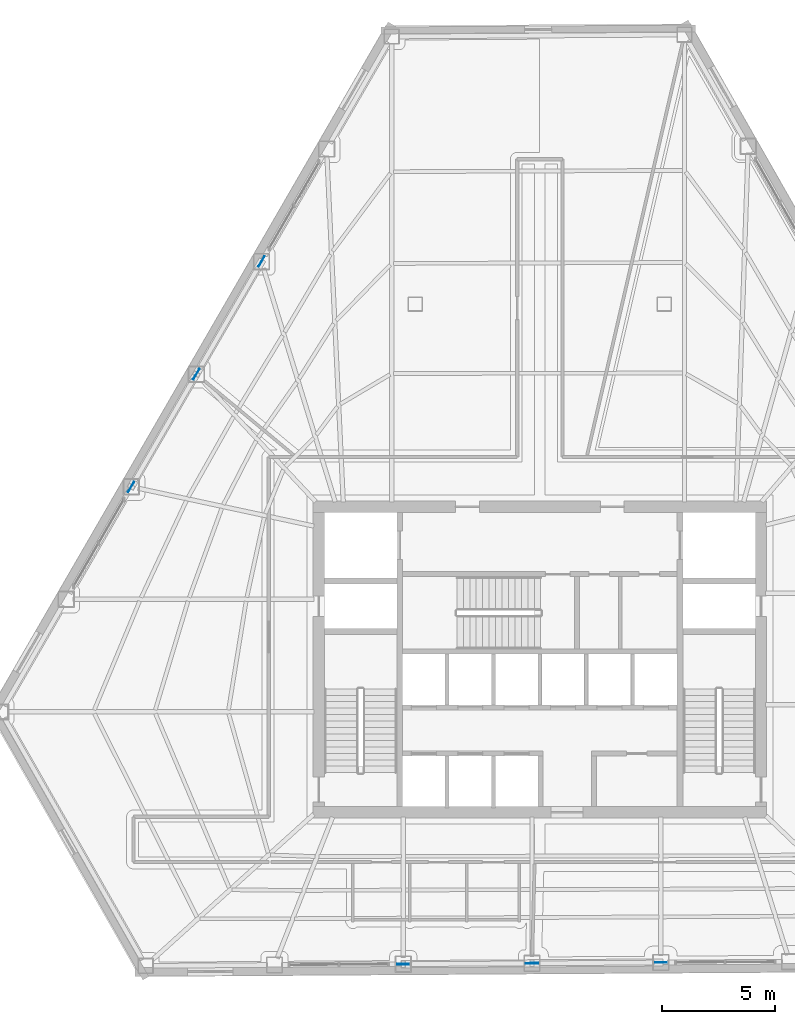
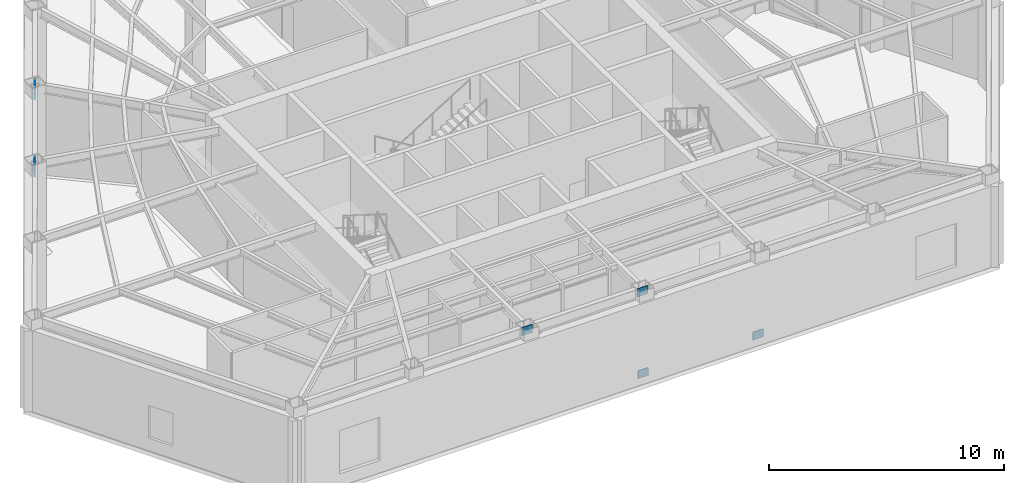
# One storey, part 7 of 14: 8 plates.
"""IFC4 building model written with IfcOpenShell, lengths in metres."""

from ifc_helpers import new_model, si_unit, direction, frame, origin, origin_2d, place, context, subcontext, project, spatial, rectangle, extrude, material, layer, layer_set, type_object, element, save


model = new_model("IFC4")

# Units and contexts
model_context = context("Model", 3, precision=1e-05, world=origin(), true_north=direction((0.0, 1.0)))
body_context = subcontext(model_context, "Body", "Model", "MODEL_VIEW")
ifc_project = project(units=[si_unit("LENGTHUNIT", "METRE"), si_unit("AREAUNIT", "SQUARE_METRE"), si_unit("VOLUMEUNIT", "CUBIC_METRE"), si_unit("PLANEANGLEUNIT", "RADIAN"), si_unit("MASSUNIT", "GRAM", prefix="KILO")], contexts=[model_context])

# Site, building, storey
site_placement = place(None, origin())
site = spatial("IfcSite", under=ifc_project, at=site_placement, CompositionType="ELEMENT")
building_placement = place(site_placement, origin())
building = spatial("IfcBuilding", under=site, at=building_placement, Name="Kavelnor Concourse Tower", CompositionType="ELEMENT")
storey_placement = place(building_placement, frame((0.0, 0.0, 80.5)))
storey = spatial("IfcBuildingStorey", under=building, at=storey_placement, Name="L20", CompositionType="ELEMENT", Elevation=80.5)

# Plates
ifc_material = material(Name="Steel Grade 350", Category="steel")
ifc_layer = layer(ifc_material, 0.031982421875, Name="Steel Grade 350")
ifc_layer_set = layer_set([ifc_layer], Name="Steel Grade 350")
plate_type = type_object("IfcPlateType", Name="PL-GUSSET-TUBE-Z1", PredefinedType="USERDEFINED", material=ifc_layer_set)
for number, where, z_axis, x_axis, name in (
    (1, (25.709716796875, 33.6875, 0.010009765625), (0.0, 0.0, 1.0), (-0.500755559253, -0.865588741769, 0.0), "L20 Tube Brace Gusset GP3 F0-B2 End Gusset A"),
    (2, (22.82080078125, 28.694091796875, 4.2734375), (0.0, 0.0, 1.0), (-0.500755559253, -0.865588741769, 0.0), "L20 Tube Brace Gusset GP3 F0-B2 End Gusset B"),
    (3, (22.832763671875, 28.71484375, 0.010009765625), (0.0, 0.0, 1.0), (-0.500755559253, -0.865588741769, 0.0), "L20 Tube Brace Gusset GP3 F0-B3 End Gusset A"),
    (4, (19.943603515625, 23.72119140625, 4.2734375), (0.0, 0.0, 1.0), (-0.500755559253, -0.865588741769, 0.0), "L20 Tube Brace Gusset GP3 F0-B3 End Gusset B"),
    (5, (37.6689453125, 2.677490234375, 0.010009765625), (0.0, 0.0, 1.0), (-0.99997914901, -0.006457673349, 0.0), "L20 Tube Brace Gusset GP3 F1-B2 End Gusset A"),
    (6, (31.9560546875, 2.640625, 4.2734375), (0.0, 0.0, 1.0), (-0.99997914901, -0.006457673349, 0.0), "L20 Tube Brace Gusset GP3 F1-B2 End Gusset B"),
    (7, (43.35791015625, 2.714111328125, 0.010009765625), (0.0, 0.0, 1.0), (-0.99997914901, -0.006457673349, 0.0), "L20 Tube Brace Gusset GP3 F1-B3 End Gusset A"),
    (8, (37.64501953125, 2.67724609375, 4.2734375), (0.0, 0.0, 1.0), (-0.99997914901, -0.006457673349, 0.0), "L20 Tube Brace Gusset GP3 F1-B3 End Gusset B"),
):
    element("IfcPlate", number, at=place(storey_placement, frame(where, z_axis=z_axis, x_axis=x_axis)), inside=storey, type_object=plate_type, Name=name, ObjectType="GUSSET_PLATE", PredefinedType="USERDEFINED", context=body_context, shape_type="SweptSolid", body=[
        extrude(rectangle(XDim=0.52001953125, YDim=0.031982421875, at=origin_2d()), origin(), (0.0, 0.0, 1.0), 0.419921875),
    ])

save(model, "model.ifc")
